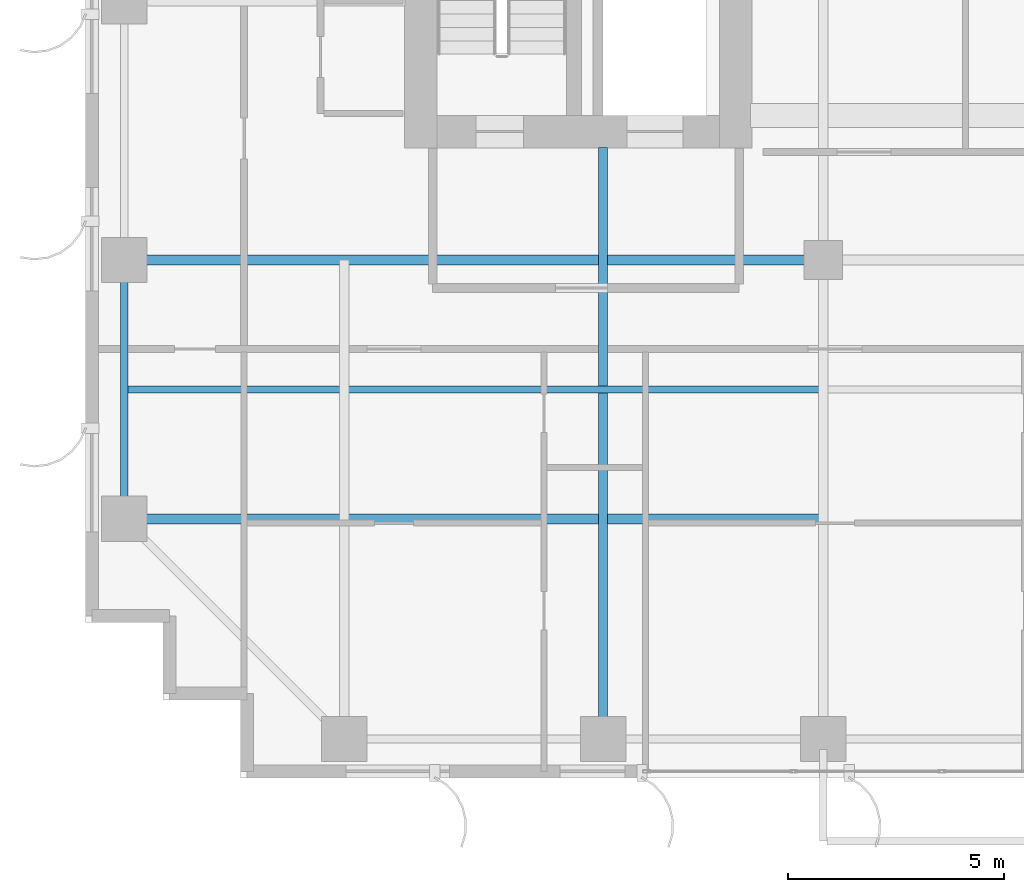
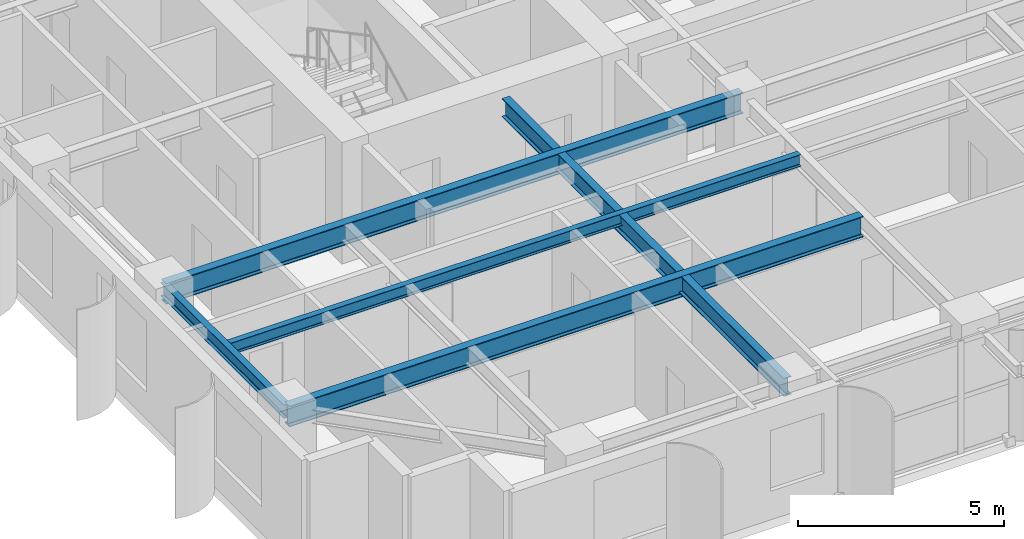
# One storey, part 3 of 27: 5 beams.
"""IFC4 building model written with IfcOpenShell, lengths in metres."""

from ifc_helpers import new_model, si_unit, direction, frame, origin, origin_2d, place, context, subcontext, project, spatial, i_section, extrude, source, transform, mapped, material, material_profile, profile_set, type_object, element, save


model = new_model("IFC4")

# Units and contexts
model_context = context("Model", 3, precision=1e-05, world=origin(), true_north=direction((0.0, 1.0)))
body_context = subcontext(model_context, "Body", "Model", "MODEL_VIEW")
ifc_project = project(units=[si_unit("LENGTHUNIT", "METRE"), si_unit("AREAUNIT", "SQUARE_METRE"), si_unit("VOLUMEUNIT", "CUBIC_METRE"), si_unit("PLANEANGLEUNIT", "RADIAN"), si_unit("MASSUNIT", "GRAM", prefix="KILO")], contexts=[model_context])

# Site, building, storey
site_placement = place(None, origin())
site = spatial("IfcSite", under=ifc_project, at=site_placement, CompositionType="ELEMENT")
building_placement = place(site_placement, origin())
building = spatial("IfcBuilding", under=site, at=building_placement, Name="Khoralis Quay Care Tower", CompositionType="ELEMENT")
storey_placement = place(building_placement, frame((0.0, 0.0, 105.300048828125)))
storey = spatial("IfcBuildingStorey", under=building, at=storey_placement, Name="L27", CompositionType="ELEMENT", Elevation=105.300048828125)

# Beams
ifc_material = material(Name="Steel S355", Category="steel")
ifc_material_profile_1 = material_profile(ifc_material, i_section(OverallWidth=0.179931640625, OverallDepth=0.39990234375, WebThickness=0.008544921875, FlangeThickness=0.013427734375, FilletRadius=0.02099609375, at=origin_2d()), Name="Steel S355")
ifc_profile_set_1 = profile_set([ifc_material_profile_1], Name="Steel S355")
beam_type_1 = type_object("IfcBeamType", Name="BM-IPE400", PredefinedType="SPANDREL", material=ifc_profile_set_1)
shared_shape_1 = source(origin(), body_context, "Body", "SweptSolid", [
    extrude(i_section(OverallWidth=0.179931640625, OverallDepth=0.39990234375, WebThickness=0.008544921875, FlangeThickness=0.013427734375, FilletRadius=0.02099609375, at=origin_2d()), origin(), (0.0, 0.0, 1.0), 6.0),
])
beam_1_placement = place(storey_placement, frame((0.89990234375, 6.0, 3.139892578125), z_axis=(0.0, 1.0, 0.0), x_axis=(-1.0, 0.0, 0.0)))
element("IfcBeam", 1, at=beam_1_placement, inside=storey, type_object=beam_type_1, Name="BM-TSP-L27-11", PredefinedType="SPANDREL", context=body_context, shape_type="MappedRepresentation", body=[
    mapped(shared_shape_1, transform((0.0, 0.0, 0.0), scale=1.0)),
])
ifc_material_profile_2 = material_profile(ifc_material, i_section(OverallWidth=0.22998046875, OverallDepth=0.616943359375, WebThickness=0.01318359375, FlangeThickness=0.022216796875, FilletRadius=0.01806640625, at=origin_2d()), Name="Steel S355")
ifc_profile_set_2 = profile_set([ifc_material_profile_2], Name="Steel S355")
beam_type_2 = type_object("IfcBeamType", Name="BM-W610X140", PredefinedType="BEAM", material=ifc_profile_set_2)
shared_shape_2 = source(origin(), body_context, "Body", "SweptSolid", [
    extrude(i_section(OverallWidth=0.22998046875, OverallDepth=0.616943359375, WebThickness=0.01318359375, FlangeThickness=0.022216796875, FilletRadius=0.01806640625, at=origin_2d()), origin(), (0.0, 0.0, 1.0), 16.106201171875),
])
beam_2_placement = place(storey_placement, frame((0.89990234375, 6.0, 3.031494140625), z_axis=(1.0, 0.0, 0.0), x_axis=(0.0, 1.0, 0.0)))
element("IfcBeam", 2, at=beam_2_placement, inside=storey, type_object=beam_type_2, Name="BM-TGXW-L27-60", PredefinedType="BEAM", context=body_context, shape_type="MappedRepresentation", body=[
    mapped(shared_shape_2, transform((0.0, 0.0, 0.0), scale=1.0)),
])
shared_shape_3 = source(origin(), body_context, "Body", "SweptSolid", [
    extrude(i_section(OverallWidth=0.22998046875, OverallDepth=0.616943359375, WebThickness=0.01318359375, FlangeThickness=0.022216796875, FilletRadius=0.01806640625, at=origin_2d()), origin(), (0.0, 0.0, 1.0), 16.2001953125),
])
beam_3_placement = place(storey_placement, frame((0.89990234375, 12.0, 3.031494140625), z_axis=(1.0, 0.0, 0.0), x_axis=(0.0, 1.0, 0.0)))
element("IfcBeam", 3, at=beam_3_placement, inside=storey, type_object=beam_type_2, Name="BM-TGXW-L27-120", PredefinedType="BEAM", context=body_context, shape_type="MappedRepresentation", body=[
    mapped(shared_shape_3, transform((0.0, 0.0, 0.0), scale=1.0)),
])
ifc_material_profile_3 = material_profile(ifc_material, i_section(OverallWidth=0.2119140625, OverallDepth=0.5439453125, WebThickness=0.01318359375, FlangeThickness=0.021240234375, FilletRadius=0.01611328125, at=origin_2d()), Name="Steel S355")
ifc_profile_set_3 = profile_set([ifc_material_profile_3], Name="Steel S355")
beam_type_3 = type_object("IfcBeamType", Name="BM-W530X123", PredefinedType="BEAM", material=ifc_profile_set_3)
shared_shape_4 = source(origin(), body_context, "Body", "SweptSolid", [
    extrude(i_section(OverallWidth=0.2119140625, OverallDepth=0.5439453125, WebThickness=0.01318359375, FlangeThickness=0.021240234375, FilletRadius=0.01611328125, at=origin_2d()), origin(), (0.0, 0.0, 1.0), 13.7021484375),
])
beam_4_placement = place(storey_placement, frame((12.0, 0.89990234375, 3.06787109375), z_axis=(0.0, 1.0, 0.0), x_axis=(-1.0, 0.0, 0.0)))
element("IfcBeam", 4, at=beam_4_placement, inside=storey, type_object=beam_type_3, Name="BM-TGYS-L27-120", PredefinedType="BEAM", context=body_context, shape_type="MappedRepresentation", body=[
    mapped(shared_shape_4, transform((0.0, 0.0, 0.0), scale=1.0)),
])
ifc_material_profile_4 = material_profile(ifc_material, i_section(OverallWidth=0.1708984375, OverallDepth=0.35498046875, WebThickness=0.007080078125, FlangeThickness=0.01171875, FilletRadius=0.012939453125, at=origin_2d()), Name="Steel S355")
ifc_profile_set_4 = profile_set([ifc_material_profile_4], Name="Steel S355")
beam_type_4 = type_object("IfcBeamType", Name="BM-W360X51", PredefinedType="JOIST", material=ifc_profile_set_4)
shared_shape_5 = source(origin(), body_context, "Body", "SweptSolid", [
    extrude(i_section(OverallWidth=0.1708984375, OverallDepth=0.35498046875, WebThickness=0.007080078125, FlangeThickness=0.01171875, FilletRadius=0.012939453125, at=origin_2d()), origin(), (0.0, 0.0, 1.0), 16.030029296875),
])
beam_5_placement = place(storey_placement, frame((0.97607421875, 9.0, 3.162353515625), z_axis=(1.0, 0.0, 0.0), x_axis=(0.0, 1.0, 0.0)))
element("IfcBeam", 5, at=beam_5_placement, inside=storey, type_object=beam_type_4, Name="BM-TJS-L27-25", PredefinedType="JOIST", context=body_context, shape_type="MappedRepresentation", body=[
    mapped(shared_shape_5, transform((0.0, 0.0, 0.0), scale=1.0)),
])

save(model, "model.ifc")
